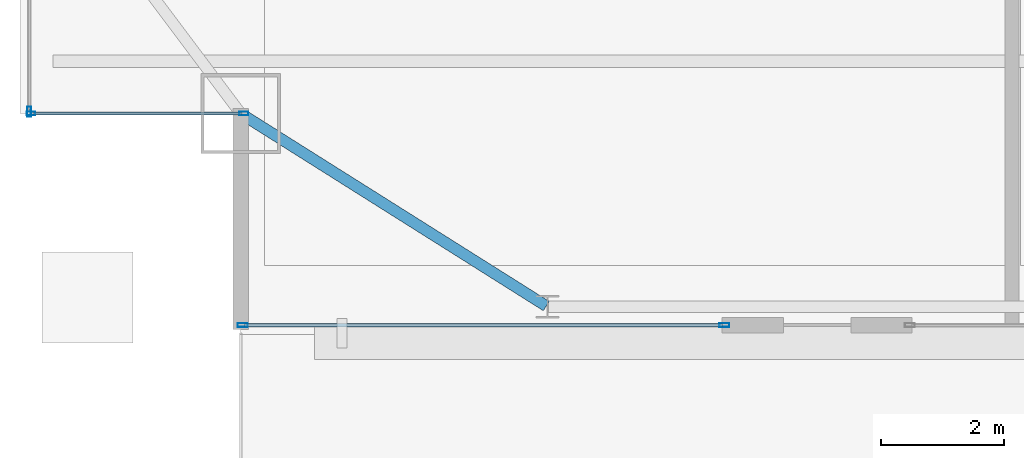
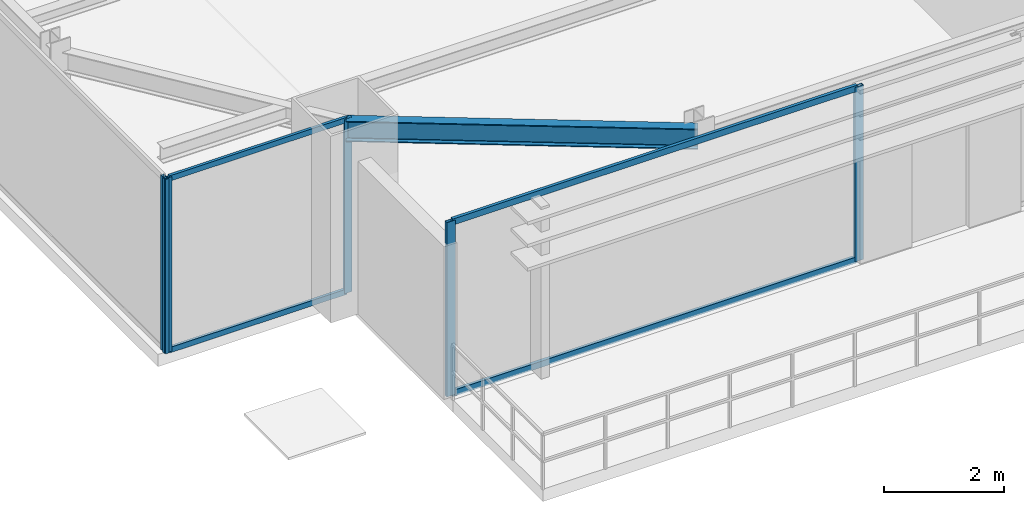
# One storey, part 4 of 33: 9 members, 1 beam, 3 elements without a shape of their own.
"""IFC4 building model written with IfcOpenShell, lengths in metres."""

from ifc_helpers import new_model, si_unit, direction, frame, origin, origin_2d, place, context, subcontext, project, spatial, hollow_rectangle, i_section, extrude, source, transform, mapped, material, layer, layer_set, material_profile, profile_set, type_object, type_shapes, element, aggregate, save


model = new_model("IFC4")

# Units and contexts
model_context = context("Model", 3, precision=1e-05, world=origin(), true_north=direction((0.0, 1.0)))
body_context = subcontext(model_context, "Body", "Model", "MODEL_VIEW")
ifc_project = project(units=[si_unit("LENGTHUNIT", "METRE"), si_unit("AREAUNIT", "SQUARE_METRE"), si_unit("VOLUMEUNIT", "CUBIC_METRE"), si_unit("PLANEANGLEUNIT", "RADIAN"), si_unit("MASSUNIT", "GRAM", prefix="KILO")], contexts=[model_context])

# Site, building, storey
site_placement = place(None, origin())
site = spatial("IfcSite", under=ifc_project, at=site_placement, CompositionType="ELEMENT")
building_placement = place(site_placement, origin())
building = spatial("IfcBuilding", under=site, at=building_placement, Name="Varnel Quay Broadcast Tower", CompositionType="ELEMENT")
storey_placement = place(building_placement, frame((0.0, 0.0, 145.800048828125)))
storey = spatial("IfcBuildingStorey", under=building, at=storey_placement, Name="L35", CompositionType="ELEMENT", Elevation=145.800048828125)

# Beam
ifc_material_1 = material(Name="Structural Steel CSA G40.21 350W", Category="steel")
ifc_material_profile_1 = material_profile(ifc_material_1, i_section(OverallWidth=0.180908203125, OverallDepth=0.4169921875, WebThickness=0.010986328125, FlangeThickness=0.018310546875, FilletRadius=0.011962890625, at=origin_2d()), Name="W410X85")
ifc_profile_set_1 = profile_set([ifc_material_profile_1], Name="Structural Steel CSA G40.21 350W")
beam_type = type_object("IfcBeamType", Name="Beam_W410X85", PredefinedType="SPANDREL", material=ifc_profile_set_1)
shared_shape_1 = source(origin(), body_context, "Body", "SweptSolid", [
    extrude(i_section(OverallWidth=0.180908203125, OverallDepth=0.4169921875, WebThickness=0.010986328125, FlangeThickness=0.018310546875, FilletRadius=0.011962890625, at=origin_2d()), origin(), (0.0, 0.0, 1.0), 5.869384765625),
])
type_shapes(beam_type, [shared_shape_1])
beam_placement = place(storey_placement, frame((10.616943359375, 10.789306640625, 3.341552734375), z_axis=(0.846088328928, -0.533042718412, 0.0), x_axis=(0.533042718412, 0.846088328928, 0.0)))
element("IfcBeam", 1, at=beam_placement, inside=storey, type_object=beam_type, Name="L35 South Spandrel MC-SW-TC-S1", PredefinedType="SPANDREL", context=body_context, shape_type="MappedRepresentation", body=[
    mapped(shared_shape_1, transform((0.0, 0.0, 0.0), x_axis=(1.0, 0.0, 0.0), y_axis=(0.0, 1.0, 0.0), z_axis=(0.0, 0.0, 1.0), scale=1.0)),
])

# Curtain wall, members
ifc_material_2 = material(Name="Anodised Bronze Aluminium 6063-T6", Category="aluminium")
ifc_layer_1 = layer(ifc_material_2, 0.18994140625, Name="Anodised Bronze Aluminium 6063-T6")
ifc_layer_set_1 = layer_set([ifc_layer_1], Name="Anodised Bronze Aluminium 6063-T6")
curtain_wall_type_1 = type_object("IfcCurtainWallType", Name="CW_NotchCorner", PredefinedType="NOTDEFINED", material=ifc_layer_set_1)
curtain_wall_1_placement = place(storey_placement, origin())
curtain_wall_1 = element("IfcCurtainWall", 2, at=curtain_wall_1_placement, inside=storey, type_object=curtain_wall_type_1, Name="L35 SW Notch Curtain Wall", PredefinedType="NOTDEFINED")
ifc_material_profile_2 = material_profile(ifc_material_2, hollow_rectangle(XDim=0.054931640625, YDim=0.110107421875, WallThickness=0.0029296875, at=origin_2d()), Name="ALU55X110X3")
ifc_profile_set_2 = profile_set([ifc_material_profile_2], Name="Anodised Bronze Aluminium 6063-T6")
member_type_1 = type_object("IfcMemberType", Name="Tran_CWS-04", PredefinedType="USERDEFINED", material=ifc_profile_set_2)
shared_shape_2 = source(origin(), body_context, "Body", "SweptSolid", [
    extrude(hollow_rectangle(XDim=0.054931640625, YDim=0.110107421875, WallThickness=0.0029296875, at=origin_2d()), origin(), (0.0, 0.0, 1.0), 3.41015625),
])
type_shapes(member_type_1, [shared_shape_2])
member_1_placement = place(storey_placement, frame((7.2099609375, 10.800048828125, 0.02734375), z_axis=(1.0, 0.0, 0.0), x_axis=(0.0, 1.0, 0.0)))
member_1 = element("IfcMember", 3, at=member_1_placement, type_object=member_type_1, Name="CWS-04 transom 1.1", ObjectType="TRANSOM", PredefinedType="USERDEFINED", context=body_context, shape_type="MappedRepresentation", body=[
    mapped(shared_shape_2, transform((0.0, 0.0, 0.0), x_axis=(1.0, 0.0, 0.0), y_axis=(0.0, 1.0, 0.0), z_axis=(0.0, 0.0, 1.0), scale=1.0)),
])
member_2_placement = place(storey_placement, frame((7.2099609375, 10.800048828125, 3.5224609375), z_axis=(1.0, 0.0, 0.0), x_axis=(0.0, 1.0, 0.0)))
member_2 = element("IfcMember", 4, at=member_2_placement, type_object=member_type_1, Name="CWS-04 transom 1.2", ObjectType="TRANSOM", PredefinedType="USERDEFINED", context=body_context, shape_type="MappedRepresentation", body=[
    mapped(shared_shape_2, transform((0.0, 0.0, 0.0), x_axis=(1.0, 0.0, 0.0), y_axis=(0.0, 1.0, 0.0), z_axis=(0.0, 0.0, 1.0), scale=1.0)),
])
ifc_material_profile_3 = material_profile(ifc_material_2, hollow_rectangle(XDim=0.06005859375, YDim=0.14501953125, WallThickness=0.00341796875, at=origin_2d()), Name="ALU60X145X3.5")
ifc_profile_set_3 = profile_set([ifc_material_profile_3], Name="Anodised Bronze Aluminium 6063-T6")
member_type_2 = type_object("IfcMemberType", Name="Mull_CWS-04", PredefinedType="MULLION", material=ifc_profile_set_3)
shared_shape_3 = source(origin(), body_context, "Body", "SweptSolid", [
    extrude(hollow_rectangle(XDim=0.06005859375, YDim=0.14501953125, WallThickness=0.00341796875, at=origin_2d()), origin(), (0.0, 0.0, 1.0), 3.550048828125),
])
type_shapes(member_type_2, [shared_shape_3])
member_3_placement = place(storey_placement, frame((7.179931640625, 10.800048828125, 0.0), z_axis=(0.0, 0.0, 1.0), x_axis=(0.0, 1.0, 0.0)))
member_3 = element("IfcMember", 5, at=member_3_placement, type_object=member_type_2, Name="CWS-04 mullion 1", PredefinedType="MULLION", context=body_context, shape_type="MappedRepresentation", body=[
    mapped(shared_shape_3, transform((0.0, 0.0, 0.0), x_axis=(1.0, 0.0, 0.0), y_axis=(0.0, 1.0, 0.0), z_axis=(0.0, 0.0, 1.0), scale=1.0)),
])
member_4_placement = place(storey_placement, frame((10.64990234375, 10.800048828125, 0.0), z_axis=(0.0, 0.0, 1.0), x_axis=(0.0, 1.0, 0.0)))
member_4 = element("IfcMember", 6, at=member_4_placement, type_object=member_type_2, Name="CWS-04 mullion 2", PredefinedType="MULLION", context=body_context, shape_type="MappedRepresentation", body=[
    mapped(shared_shape_3, transform((0.0, 0.0, 0.0), x_axis=(1.0, 0.0, 0.0), y_axis=(0.0, 1.0, 0.0), z_axis=(0.0, 0.0, 1.0), scale=1.0)),
])
aggregate(curtain_wall_1, [member_3, member_4, member_1, member_2])

ifc_layer_2 = layer(ifc_material_2, 0.18994140625, Name="Anodised Bronze Aluminium 6063-T6")
ifc_layer_set_2 = layer_set([ifc_layer_2], Name="Anodised Bronze Aluminium 6063-T6")
curtain_wall_type_2 = type_object("IfcCurtainWallType", Name="CW_UpperTower", PredefinedType="NOTDEFINED", material=ifc_layer_set_2)
curtain_wall_2_placement = place(storey_placement, origin())
curtain_wall_2 = element("IfcCurtainWall", 7, at=curtain_wall_2_placement, inside=storey, type_object=curtain_wall_type_2, Name="L35 South Unitised Curtain Wall 1", PredefinedType="NOTDEFINED")
ifc_material_profile_4 = material_profile(ifc_material_2, hollow_rectangle(XDim=0.06494140625, YDim=0.1650390625, WallThickness=0.00341796875, at=origin_2d()), Name="ALU65X165X3.5")
ifc_profile_set_4 = profile_set([ifc_material_profile_4], Name="Anodised Bronze Aluminium 6063-T6")
member_type_3 = type_object("IfcMemberType", Name="Mull_CWS-03", PredefinedType="MULLION", material=ifc_profile_set_4)
shared_shape_4 = source(origin(), body_context, "Body", "SweptSolid", [
    extrude(hollow_rectangle(XDim=0.06494140625, YDim=0.1650390625, WallThickness=0.00341796875, at=origin_2d()), origin(), (0.0, 0.0, 1.0), 3.550048828125),
])
type_shapes(member_type_3, [shared_shape_4])
member_5_placement = place(storey_placement, frame((10.632568359375, 7.35009765625, 0.0), z_axis=(0.0, 0.0, 1.0), x_axis=(0.0, 1.0, 0.0)))
member_5 = element("IfcMember", 8, at=member_5_placement, type_object=member_type_3, Name="CWS-03 mullion 1", PredefinedType="MULLION", context=body_context, shape_type="MappedRepresentation", body=[
    mapped(shared_shape_4, transform((0.0, 0.0, 0.0), x_axis=(1.0, 0.0, 0.0), y_axis=(0.0, 1.0, 0.0), z_axis=(0.0, 0.0, 1.0), scale=1.0)),
])
member_6_placement = place(storey_placement, frame((18.487548828125, 7.35009765625, 0.0), z_axis=(0.0, 0.0, 1.0), x_axis=(0.0, 1.0, 0.0)))
member_6 = element("IfcMember", 9, at=member_6_placement, type_object=member_type_3, Name="CWS-03 mullion 2", PredefinedType="MULLION", context=body_context, shape_type="MappedRepresentation", body=[
    mapped(shared_shape_4, transform((0.0, 0.0, 0.0), x_axis=(1.0, 0.0, 0.0), y_axis=(0.0, 1.0, 0.0), z_axis=(0.0, 0.0, 1.0), scale=1.0)),
])

# Curtain wall, member
curtain_wall_3_placement = place(storey_placement, origin())
curtain_wall_3 = element("IfcCurtainWall", 10, at=curtain_wall_3_placement, inside=storey, type_object=curtain_wall_type_2, Name="L35 West Unitised Curtain Wall", PredefinedType="NOTDEFINED")
member_7_placement = place(storey_placement, frame((7.14990234375, 10.83251953125, 0.0), z_axis=(0.0, 0.0, 1.0), x_axis=(-1.0, 0.0, 0.0)))
member_7 = element("IfcMember", 11, at=member_7_placement, type_object=member_type_3, Name="CWS-03 mullion 1", PredefinedType="MULLION", context=body_context, shape_type="MappedRepresentation", body=[
    mapped(shared_shape_4, transform((0.0, 0.0, 0.0), x_axis=(1.0, 0.0, 0.0), y_axis=(0.0, 1.0, 0.0), z_axis=(0.0, 0.0, 1.0), scale=1.0)),
])
aggregate(curtain_wall_3, [member_7])

# Member
ifc_material_profile_5 = material_profile(ifc_material_2, hollow_rectangle(XDim=0.06005859375, YDim=0.125, WallThickness=0.0029296875, at=origin_2d()), Name="ALU60X125X3")
ifc_profile_set_5 = profile_set([ifc_material_profile_5], Name="Anodised Bronze Aluminium 6063-T6")
member_type_4 = type_object("IfcMemberType", Name="Tran_CWS-03", PredefinedType="USERDEFINED", material=ifc_profile_set_5)
shared_shape_5 = source(origin(), body_context, "Body", "SweptSolid", [
    extrude(hollow_rectangle(XDim=0.06005859375, YDim=0.125, WallThickness=0.0029296875, at=origin_2d()), origin(), (0.0, 0.0, 1.0), 7.7900390625),
])
type_shapes(member_type_4, [shared_shape_5])
member_8_placement = place(storey_placement, frame((10.6650390625, 7.35009765625, 0.030029296875), z_axis=(1.0, 0.0, 0.0), x_axis=(0.0, 1.0, 0.0)))
member_8 = element("IfcMember", 12, at=member_8_placement, type_object=member_type_4, Name="CWS-03 transom 1.1", ObjectType="TRANSOM", PredefinedType="USERDEFINED", context=body_context, shape_type="MappedRepresentation", body=[
    mapped(shared_shape_5, transform((0.0, 0.0, 0.0), x_axis=(1.0, 0.0, 0.0), y_axis=(0.0, 1.0, 0.0), z_axis=(0.0, 0.0, 1.0), scale=1.0)),
])

member_9_placement = place(storey_placement, frame((10.6650390625, 7.35009765625, 3.52001953125), z_axis=(1.0, 0.0, 0.0), x_axis=(0.0, 1.0, 0.0)))
member_9 = element("IfcMember", 13, at=member_9_placement, type_object=member_type_4, Name="CWS-03 transom 1.2", ObjectType="TRANSOM", PredefinedType="USERDEFINED", context=body_context, shape_type="MappedRepresentation", body=[
    mapped(shared_shape_5, transform((0.0, 0.0, 0.0), x_axis=(1.0, 0.0, 0.0), y_axis=(0.0, 1.0, 0.0), z_axis=(0.0, 0.0, 1.0), scale=1.0)),
])

aggregate(curtain_wall_2, [member_5, member_6, member_8, member_9])

save(model, "model.ifc")
